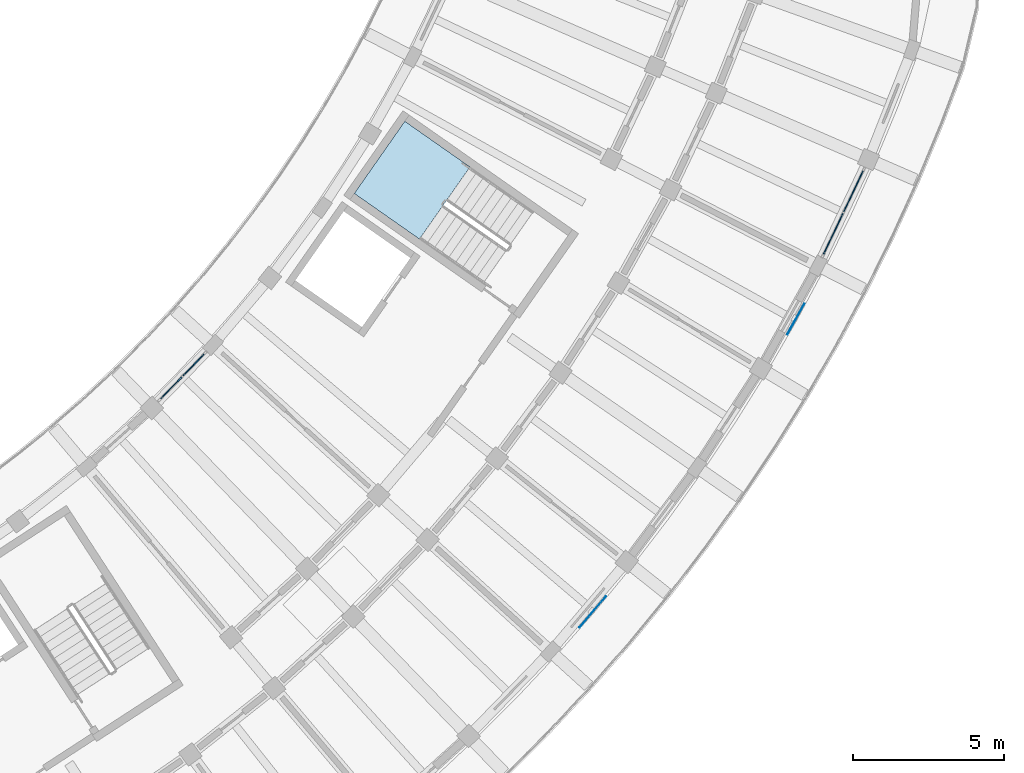
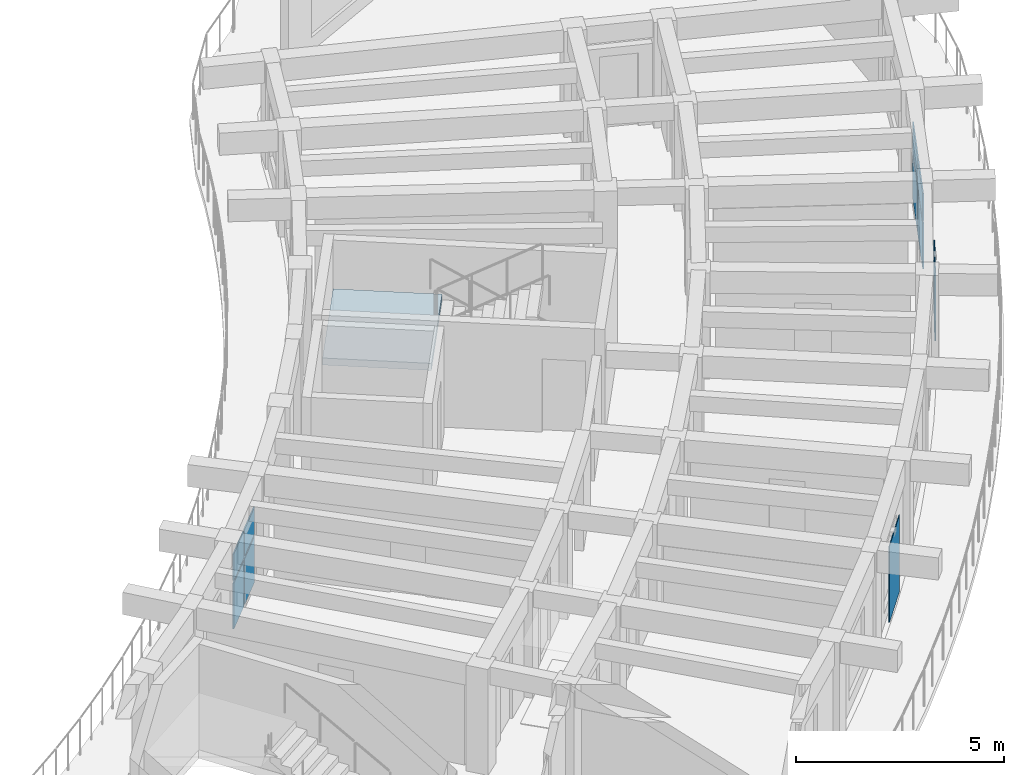
# One storey, part 37 of 81: 10 plates, 1 slab, 3 elements without a shape of their own.
"""IFC4 building model written with IfcOpenShell, lengths in metres."""

from ifc_helpers import new_model, si_unit, direction, frame, origin, origin_2d, place, context, subcontext, project, spatial, polyline, rectangle, outline, extrude, material, layer, layer_set, type_object, element, aggregate, save


model = new_model("IFC4")

# Units and contexts
model_context = context("Model", 3, precision=1e-05, world=origin(), true_north=direction((0.0, 1.0)))
body_context = subcontext(model_context, "Body", "Model", "MODEL_VIEW")
ifc_project = project(units=[si_unit("LENGTHUNIT", "METRE"), si_unit("AREAUNIT", "SQUARE_METRE"), si_unit("VOLUMEUNIT", "CUBIC_METRE"), si_unit("PLANEANGLEUNIT", "RADIAN"), si_unit("MASSUNIT", "GRAM", prefix="KILO")], contexts=[model_context])

# Site, building, storey
site_placement = place(None, origin())
site = spatial("IfcSite", under=ifc_project, at=site_placement, CompositionType="ELEMENT")
building_placement = place(site_placement, origin())
building = spatial("IfcBuilding", under=site, at=building_placement, Name="Tanwirah Colonnade Gardens", CompositionType="ELEMENT")
storey_placement = place(building_placement, frame((0.0, 0.0, 18.919921875)))
storey = spatial("IfcBuildingStorey", under=building, at=storey_placement, Name="L05", CompositionType="ELEMENT", Elevation=18.919921875)

# Curtain wall, plates
ifc_material_1 = material(Name="Bronze-anodised aluminium and solar-control low-E glass", Category="aluminium")
curtain_wall_type_1 = type_object("IfcCurtainWallType", Name="CW-GDN", PredefinedType="NOTDEFINED", material=ifc_material_1)
curtain_wall_1_placement = place(storey_placement, origin())
curtain_wall_1 = element("IfcCurtainWall", 1, at=curtain_wall_1_placement, inside=storey, type_object=curtain_wall_type_1, Name="Curtain Wall CW-D-L05-IN-08", PredefinedType="NOTDEFINED")
ifc_material_2 = material(Name="Acoustic solar-control low-E double glazing", Category="glass")
ifc_layer_1 = layer(ifc_material_2, 0.031982421875)
ifc_layer_set_1 = layer_set([ifc_layer_1], Name="Acoustic solar-control low-E double glazing")
plate_type_1 = type_object("IfcPlateType", Name="CWP-GLZ32", PredefinedType="CURTAIN_PANEL", material=ifc_layer_set_1)
plate_1_placement = place(storey_placement, frame((152.521240234375, 33.189208984375, 0.070068359375), z_axis=(0.0, 0.0, 1.0), x_axis=(0.696223466127, 0.717825107678, 0.0)))
plate_1 = element("IfcPlate", 2, at=plate_1_placement, type_object=plate_type_1, Name="CW-GDN panel 1.1", PredefinedType="CURTAIN_PANEL", context=body_context, shape_type="SweptSolid", body=[
    extrude(rectangle(XDim=0.9892578125, YDim=0.031982421875, at=origin_2d()), origin(), (0.0, 0.0, 1.0), 1.35498046875),
])
plate_2_placement = place(storey_placement, frame((152.521240234375, 33.189208984375, 1.4951171875), z_axis=(0.0, 0.0, 1.0), x_axis=(0.696223466127, 0.717825107678, 0.0)))
plate_2 = element("IfcPlate", 3, at=plate_2_placement, type_object=plate_type_1, Name="CW-GDN panel 1.2", PredefinedType="CURTAIN_PANEL", context=body_context, shape_type="SweptSolid", body=[
    extrude(rectangle(XDim=0.9892578125, YDim=0.031982421875, at=origin_2d()), origin(), (0.0, 0.0, 1.0), 0.789794921875),
])
plate_3_placement = place(storey_placement, frame((153.2587890625, 33.949462890625, 0.070068359375), z_axis=(0.0, 0.0, 1.0), x_axis=(0.696223466127, 0.717825107678, 0.0)))
plate_3 = element("IfcPlate", 4, at=plate_3_placement, type_object=plate_type_1, Name="CW-GDN panel 2.1", PredefinedType="CURTAIN_PANEL", context=body_context, shape_type="SweptSolid", body=[
    extrude(rectangle(XDim=0.9892578125, YDim=0.031982421875, at=origin_2d()), origin(), (0.0, 0.0, 1.0), 1.35498046875),
])
plate_4_placement = place(storey_placement, frame((153.2587890625, 33.949462890625, 1.4951171875), z_axis=(0.0, 0.0, 1.0), x_axis=(0.696223466127, 0.717825107678, 0.0)))
plate_4 = element("IfcPlate", 5, at=plate_4_placement, type_object=plate_type_1, Name="CW-GDN panel 2.2", PredefinedType="CURTAIN_PANEL", context=body_context, shape_type="SweptSolid", body=[
    extrude(rectangle(XDim=0.9892578125, YDim=0.031982421875, at=origin_2d()), origin(), (0.0, 0.0, 1.0), 0.789794921875),
])
aggregate(curtain_wall_1, [plate_1, plate_2, plate_3, plate_4])

curtain_wall_type_2 = type_object("IfcCurtainWallType", Name="CW-LOB", PredefinedType="NOTDEFINED", material=ifc_material_1)
curtain_wall_2_placement = place(storey_placement, origin())
curtain_wall_2 = element("IfcCurtainWall", 6, at=curtain_wall_2_placement, inside=storey, type_object=curtain_wall_type_2, Name="Curtain Wall CW-D-L05-OUT-13", PredefinedType="NOTDEFINED")
plate_5_placement = place(storey_placement, frame((174.443115234375, 38.292236328125, 0.070068359375), z_axis=(0.0, 0.0, 1.0), x_axis=(0.428540128004, 0.903522749404, 0.0)))
plate_5 = element("IfcPlate", 7, at=plate_5_placement, type_object=plate_type_1, Name="CW-LOB panel 1.1", PredefinedType="CURTAIN_PANEL", context=body_context, shape_type="SweptSolid", body=[
    extrude(rectangle(XDim=1.4833984375, YDim=0.031982421875, at=origin_2d()), origin(), (0.0, 0.0, 1.0), 1.35498046875),
])
plate_6_placement = place(storey_placement, frame((174.443115234375, 38.292236328125, 1.4951171875), z_axis=(0.0, 0.0, 1.0), x_axis=(0.428540128004, 0.903522749404, 0.0)))
plate_6 = element("IfcPlate", 8, at=plate_6_placement, type_object=plate_type_1, Name="CW-LOB panel 1.2", PredefinedType="CURTAIN_PANEL", context=body_context, shape_type="SweptSolid", body=[
    extrude(rectangle(XDim=1.4833984375, YDim=0.031982421875, at=origin_2d()), origin(), (0.0, 0.0, 1.0), 0.789794921875),
])
plate_7_placement = place(storey_placement, frame((175.10888671875, 39.69580078125, 0.070068359375), z_axis=(0.0, 0.0, 1.0), x_axis=(0.428540128004, 0.903522749404, 0.0)))
plate_7 = element("IfcPlate", 9, at=plate_7_placement, type_object=plate_type_1, Name="CW-LOB panel 2.1", PredefinedType="CURTAIN_PANEL", context=body_context, shape_type="SweptSolid", body=[
    extrude(rectangle(XDim=1.4833984375, YDim=0.031982421875, at=origin_2d()), origin(), (0.0, 0.0, 1.0), 1.35498046875),
])
plate_8_placement = place(storey_placement, frame((175.10888671875, 39.69580078125, 1.4951171875), z_axis=(0.0, 0.0, 1.0), x_axis=(0.428540128004, 0.903522749404, 0.0)))
plate_8 = element("IfcPlate", 10, at=plate_8_placement, type_object=plate_type_1, Name="CW-LOB panel 2.2", PredefinedType="CURTAIN_PANEL", context=body_context, shape_type="SweptSolid", body=[
    extrude(rectangle(XDim=1.4833984375, YDim=0.031982421875, at=origin_2d()), origin(), (0.0, 0.0, 1.0), 0.789794921875),
])
aggregate(curtain_wall_2, [plate_5, plate_6, plate_7, plate_8])

# Plates
ifc_material_3 = material(Name="Laser-cut bronze aluminium solar screen plate", Category="aluminium")
ifc_layer_2 = layer(ifc_material_3, 0.02001953125)
ifc_layer_set_2 = layer_set([ifc_layer_2], Name="Laser-cut bronze aluminium solar screen plate")
plate_type_2 = type_object("IfcPlateType", Name="PLT-SCR20", PredefinedType="SHEET", material=ifc_layer_set_2)
plate_9_placement = place(storey_placement, frame((166.476806640625, 25.771240234375, 0.0), z_axis=(0.0, 0.0, 1.0), x_axis=(0.647787018861, 0.761821487092, 0.0)))
element("IfcPlate", 11, at=plate_9_placement, inside=storey, type_object=plate_type_2, Name="Perforated solar screen plate D-L05-09", PredefinedType="SHEET", context=body_context, shape_type="SweptSolid", body=[
    extrude(rectangle(XDim=1.35009765625, YDim=0.02001953125, at=origin_2d()), origin(), (0.0, 0.0, 1.0), 2.25),
])
plate_10_placement = place(storey_placement, frame((173.202392578125, 35.46630859375, 0.0), z_axis=(0.0, 0.0, 1.0), x_axis=(0.486717384336, 0.873559492985, 0.0)))
element("IfcPlate", 12, at=plate_10_placement, inside=storey, type_object=plate_type_2, Name="Perforated solar screen plate D-L05-12", PredefinedType="SHEET", context=body_context, shape_type="SweptSolid", body=[
    extrude(rectangle(XDim=1.159912109375, YDim=0.02001953125, at=origin_2d()), origin(), (0.0, 0.0, 1.0), 2.135009765625),
])

# Stair, slab
ifc_material_4 = material(Name="Precast concrete C40/50", Category="concrete")
stair_type = type_object("IfcStairType", Name="ST-RES168", PredefinedType="HALF_TURN_STAIR", material=ifc_material_4)
stair_placement = place(storey_placement, origin())
stair = element("IfcStair", 13, at=stair_placement, inside=storey, type_object=stair_type, Name="L05 Block D Core 2 Exit Stair", PredefinedType="HALF_TURN_STAIR")
ifc_layer_3 = layer(ifc_material_4, 0.205078125)
ifc_layer_set_3 = layer_set([ifc_layer_3], Name="Precast concrete C40/50")
slab_type = type_object("IfcSlabType", Name="SL-LND-205", PredefinedType="LANDING", material=ifc_layer_set_3)
slab_placement = place(storey_placement, frame((0.0, 0.0, 1.47509765625)))
slab = element("IfcSlab", 14, at=slab_placement, type_object=slab_type, Name="ST-D2 landing 1", PredefinedType="LANDING", context=body_context, shape_type="SweptSolid", body=[
    extrude(outline(polyline([(162.412841796875, 40.507568359375), (160.25439453125, 42.018798828125), (158.57958984375, 39.626953125), (160.738037109375, 38.11572265625), (162.412841796875, 40.507568359375)])), origin(), (0.0, 0.0, 1.0), 0.205078125),
])
aggregate(stair, [slab])

save(model, "model.ifc")
